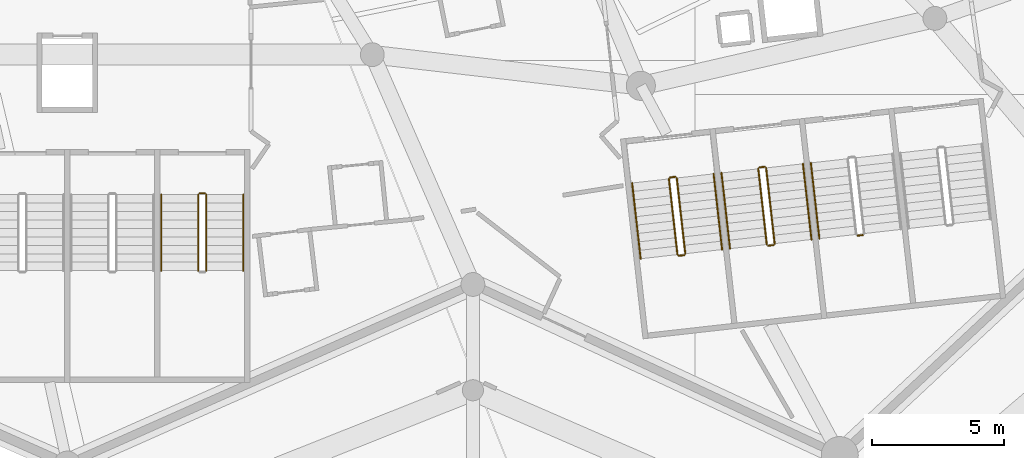
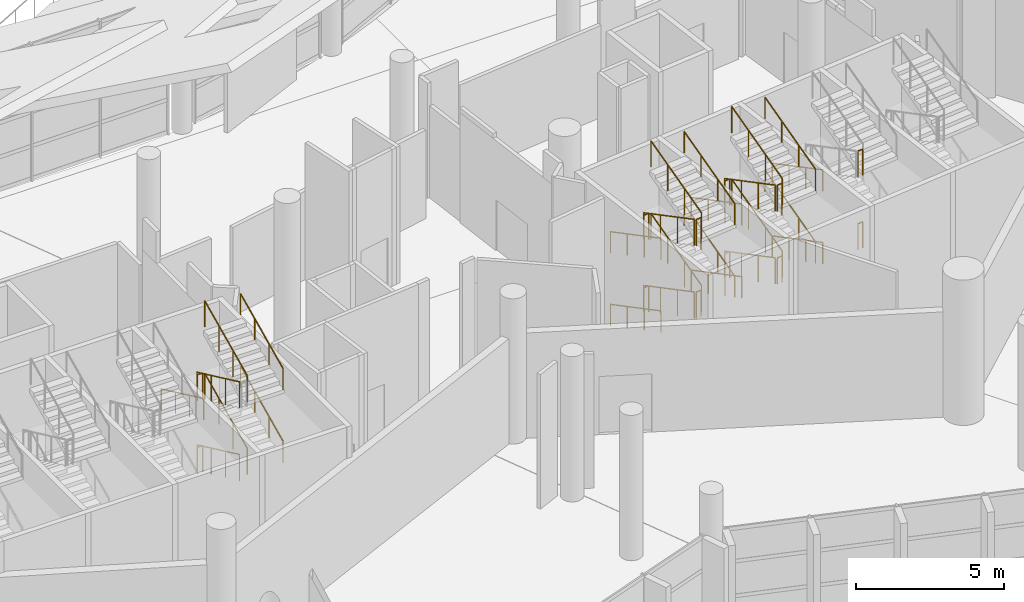
# One storey, part 216 of 249: 37 railings.
"""IFC4 building model written with IfcOpenShell, lengths in metres."""

from ifc_helpers import new_model, si_unit, direction, frame, origin, origin_2d, place, context, subcontext, project, spatial, circle, extrude, material, type_object, element, save


model = new_model("IFC4")

# Units and contexts
model_context = context("Model", 3, precision=1e-05, world=origin(), true_north=direction((0.0, 1.0)))
body_context = subcontext(model_context, "Body", "Model", "MODEL_VIEW")
ifc_project = project(units=[si_unit("LENGTHUNIT", "METRE"), si_unit("AREAUNIT", "SQUARE_METRE"), si_unit("VOLUMEUNIT", "CUBIC_METRE"), si_unit("PLANEANGLEUNIT", "RADIAN"), si_unit("MASSUNIT", "GRAM", prefix="KILO")], contexts=[model_context])

# Site, building, storey
site_placement = place(None, origin())
site = spatial("IfcSite", under=ifc_project, at=site_placement, CompositionType="ELEMENT")
building_placement = place(site_placement, origin())
building = spatial("IfcBuilding", under=site, at=building_placement, Name="Meseta Stadium", CompositionType="ELEMENT")
storey_placement = place(building_placement, frame((0.0, 0.0, 12.0)))
storey = spatial("IfcBuildingStorey", under=building, at=storey_placement, Name="L02", CompositionType="ELEMENT", Elevation=12.0)

# Railings
ifc_material_1 = material(Name="Steel S355", Category="steel")
railing_type_1 = type_object("IfcRailingType", Name="Stair guard 1100", PredefinedType="GUARDRAIL", material=ifc_material_1)
railing_1_placement = place(storey_placement, frame((27.949951171875, -95.199951171875, 0.14990234375)))
element("IfcRailing", 1, at=railing_1_placement, inside=storey, type_object=railing_type_1, Name="ST100 L02 guard 1", PredefinedType="GUARDRAIL", context=body_context, shape_type="SweptSolid", body=[
    extrude(circle(Radius=0.02392578125, at=origin_2d()), frame((0.0, 0.0, 1.076171875), z_axis=(0.0, -0.905454327043, 0.424443708447), x_axis=(1.0, 0.0, 0.0)), (0.0, 0.0, 1.0), 3.180908203125),
    extrude(circle(Radius=0.02099609375, at=origin_2d()), origin(), (0.0, 0.0, 1.0), 1.052001953125),
    extrude(circle(Radius=0.02099609375, at=origin_2d()), frame((0.0, -0.9599609375, 0.449951171875)), (0.0, 0.0, 1.0), 1.052001953125),
    extrude(circle(Radius=0.02099609375, at=origin_2d()), frame((0.0, -1.920166015625, 0.900146484375)), (0.0, 0.0, 1.0), 1.052001953125),
    extrude(circle(Radius=0.02099609375, at=origin_2d()), frame((0.0, -2.880126953125, 1.35009765625)), (0.0, 0.0, 1.0), 1.052001953125),
])
railing_2_placement = place(storey_placement, frame((28.25, -98.080078125, 1.64990234375)))
element("IfcRailing", 2, at=railing_2_placement, inside=storey, type_object=railing_type_1, Name="ST100 L02 guard 3", PredefinedType="GUARDRAIL", context=body_context, shape_type="SweptSolid", body=[
    extrude(circle(Radius=0.02392578125, at=origin_2d()), frame((0.0, 0.0, 1.076171875), z_axis=(0.0, 0.905454327043, 0.424443708447), x_axis=(-1.0, 0.0, 0.0)), (0.0, 0.0, 1.0), 3.180908203125),
    extrude(circle(Radius=0.02099609375, at=origin_2d()), origin(), (0.0, 0.0, 1.0), 1.052001953125),
    extrude(circle(Radius=0.02099609375, at=origin_2d()), frame((0.0, 0.9599609375, 0.449951171875)), (0.0, 0.0, 1.0), 1.052001953125),
    extrude(circle(Radius=0.02099609375, at=origin_2d()), frame((0.0, 1.920166015625, 0.900146484375)), (0.0, 0.0, 1.0), 1.052001953125),
    extrude(circle(Radius=0.02099609375, at=origin_2d()), frame((0.0, 2.880126953125, 1.35009765625)), (0.0, 0.0, 1.0), 1.052001953125),
])
railing_3_placement = place(storey_placement, frame((28.0, -95.14990234375, 3.0)))
element("IfcRailing", 3, at=railing_3_placement, inside=storey, type_object=railing_type_1, Name="ST100 L02 guard 4", PredefinedType="GUARDRAIL", context=body_context, shape_type="SweptSolid", body=[
    extrude(circle(Radius=0.02392578125, at=origin_2d()), frame((0.0, 0.0, 1.076171875), z_axis=(1.0, 0.0, 0.0), x_axis=(0.0, 1.0, 0.0)), (0.0, 0.0, 1.0), 0.199951171875),
    extrude(circle(Radius=0.02099609375, at=origin_2d()), origin(), (0.0, 0.0, 1.0), 1.052001953125),
    extrude(circle(Radius=0.02099609375, at=origin_2d()), frame((0.199951171875, 0.0, 0.0)), (0.0, 0.0, 1.0), 1.052001953125),
])
railing_4_placement = place(storey_placement, frame((27.949951171875, -95.199951171875, 3.14990234375)))
element("IfcRailing", 4, at=railing_4_placement, inside=storey, type_object=railing_type_1, Name="ST100 L02 guard 5", PredefinedType="GUARDRAIL", context=body_context, shape_type="SweptSolid", body=[
    extrude(circle(Radius=0.02392578125, at=origin_2d()), frame((0.0, 0.0, 1.076171875), z_axis=(0.0, -0.905454327043, 0.424443708447), x_axis=(1.0, 0.0, 0.0)), (0.0, 0.0, 1.0), 3.180908203125),
    extrude(circle(Radius=0.02099609375, at=origin_2d()), origin(), (0.0, 0.0, 1.0), 1.052001953125),
    extrude(circle(Radius=0.02099609375, at=origin_2d()), frame((0.0, -0.9599609375, 0.449951171875)), (0.0, 0.0, 1.0), 1.052001953125),
    extrude(circle(Radius=0.02099609375, at=origin_2d()), frame((0.0, -1.920166015625, 0.900146484375)), (0.0, 0.0, 1.0), 1.052001953125),
    extrude(circle(Radius=0.02099609375, at=origin_2d()), frame((0.0, -2.880126953125, 1.35009765625)), (0.0, 0.0, 1.0), 1.052001953125),
])
railing_5_placement = place(storey_placement, frame((28.25, -98.080078125, 4.64990234375)))
element("IfcRailing", 5, at=railing_5_placement, inside=storey, type_object=railing_type_1, Name="ST100 L02 guard 7", PredefinedType="GUARDRAIL", context=body_context, shape_type="SweptSolid", body=[
    extrude(circle(Radius=0.02392578125, at=origin_2d()), frame((0.0, 0.0, 1.076171875), z_axis=(0.0, 0.905454327043, 0.424443708447), x_axis=(-1.0, 0.0, 0.0)), (0.0, 0.0, 1.0), 3.180908203125),
    extrude(circle(Radius=0.02099609375, at=origin_2d()), origin(), (0.0, 0.0, 1.0), 1.052001953125),
    extrude(circle(Radius=0.02099609375, at=origin_2d()), frame((0.0, 0.9599609375, 0.449951171875)), (0.0, 0.0, 1.0), 1.052001953125),
    extrude(circle(Radius=0.02099609375, at=origin_2d()), frame((0.0, 1.920166015625, 0.900146484375)), (0.0, 0.0, 1.0), 1.052001953125),
    extrude(circle(Radius=0.02099609375, at=origin_2d()), frame((0.0, 2.880126953125, 1.35009765625)), (0.0, 0.0, 1.0), 1.052001953125),
])
railing_6_placement = place(storey_placement, frame((28.0, -95.14990234375, 0.0)))
element("IfcRailing", 6, at=railing_6_placement, inside=storey, type_object=railing_type_1, Name="ST100 L02 guard 8", PredefinedType="GUARDRAIL", context=body_context, shape_type="SweptSolid", body=[
    extrude(circle(Radius=0.02392578125, at=origin_2d()), frame((0.0, 0.0, 1.076171875), z_axis=(1.0, 0.0, 0.0), x_axis=(0.0, 1.0, 0.0)), (0.0, 0.0, 1.0), 0.199951171875),
    extrude(circle(Radius=0.02099609375, at=origin_2d()), origin(), (0.0, 0.0, 1.0), 1.052001953125),
    extrude(circle(Radius=0.02099609375, at=origin_2d()), frame((0.199951171875, 0.0, 0.0)), (0.0, 0.0, 1.0), 1.052001953125),
])
railing_7_placement = place(storey_placement, frame((45.742919921875, -94.609375, 0.14990234375)))
element("IfcRailing", 7, at=railing_7_placement, inside=storey, type_object=railing_type_1, Name="ST101 L02 guard 1", PredefinedType="GUARDRAIL", context=body_context, shape_type="SweptSolid", body=[
    extrude(circle(Radius=0.02392578125, at=origin_2d()), frame((0.0, 0.0, 1.076171875), z_axis=(0.10139626197, -0.899747905232, 0.424467319223), x_axis=(0.993709872468, 0.111985219376, 0.0)), (0.0, 0.0, 1.0), 3.1806640625),
    extrude(circle(Radius=0.02099609375, at=origin_2d()), origin(), (0.0, 0.0, 1.0), 1.052001953125),
    extrude(circle(Radius=0.02099609375, at=origin_2d()), frame((0.107421875, -0.953857421875, 0.449951171875)), (0.0, 0.0, 1.0), 1.052001953125),
    extrude(circle(Radius=0.02099609375, at=origin_2d()), frame((0.215087890625, -1.907958984375, 0.900146484375)), (0.0, 0.0, 1.0), 1.052001953125),
    extrude(circle(Radius=0.02099609375, at=origin_2d()), frame((0.322509765625, -2.86181640625, 1.35009765625)), (0.0, 0.0, 1.0), 1.052001953125),
])
railing_8_placement = place(storey_placement, frame((46.120849609375, -97.51513671875, 1.5)))
element("IfcRailing", 8, at=railing_8_placement, inside=storey, type_object=railing_type_1, Name="ST101 L02 guard 2", PredefinedType="GUARDRAIL", context=body_context, shape_type="SweptSolid", body=[
    extrude(circle(Radius=0.02392578125, at=origin_2d()), frame((0.0, 0.0, 1.076171875), z_axis=(0.993809063983, 0.111101504696, 0.0), x_axis=(-0.111101504696, 0.993809063983, 0.0)), (0.0, 0.0, 1.0), 0.199951171875),
    extrude(circle(Radius=0.02099609375, at=origin_2d()), origin(), (0.0, 0.0, 1.0), 1.052001953125),
    extrude(circle(Radius=0.02099609375, at=origin_2d()), frame((0.19873046875, 0.022216796875, 0.0)), (0.0, 0.0, 1.0), 1.052001953125),
])
railing_9_placement = place(storey_placement, frame((46.363525390625, -97.4375, 1.64990234375)))
element("IfcRailing", 9, at=railing_9_placement, inside=storey, type_object=railing_type_1, Name="ST101 L02 guard 3", PredefinedType="GUARDRAIL", context=body_context, shape_type="SweptSolid", body=[
    extrude(circle(Radius=0.02392578125, at=origin_2d()), frame((0.0, 0.0, 1.076171875), z_axis=(-0.101320293039, 0.899754905305, 0.424470621595), x_axis=(-0.993719302648, -0.111901508232, 0.0)), (0.0, 0.0, 1.0), 3.1806640625),
    extrude(circle(Radius=0.02099609375, at=origin_2d()), origin(), (0.0, 0.0, 1.0), 1.052001953125),
    extrude(circle(Radius=0.02099609375, at=origin_2d()), frame((-0.107421875, 0.953857421875, 0.449951171875)), (0.0, 0.0, 1.0), 1.052001953125),
    extrude(circle(Radius=0.02099609375, at=origin_2d()), frame((-0.21484375, 1.907958984375, 0.900146484375)), (0.0, 0.0, 1.0), 1.052001953125),
    extrude(circle(Radius=0.02099609375, at=origin_2d()), frame((-0.322265625, 2.86181640625, 1.35009765625)), (0.0, 0.0, 1.0), 1.052001953125),
])
railing_10_placement = place(storey_placement, frame((45.787109375, -94.553955078125, 3.0)))
element("IfcRailing", 10, at=railing_10_placement, inside=storey, type_object=railing_type_1, Name="ST101 L02 guard 4", PredefinedType="GUARDRAIL", context=body_context, shape_type="SweptSolid", body=[
    extrude(circle(Radius=0.02392578125, at=origin_2d()), frame((0.0, 0.0, 1.076171875), z_axis=(0.993673547442, 0.112307083986, 0.0), x_axis=(-0.112307083986, 0.993673547442, 0.0)), (0.0, 0.0, 1.0), 0.199951171875),
    extrude(circle(Radius=0.02099609375, at=origin_2d()), origin(), (0.0, 0.0, 1.0), 1.052001953125),
    extrude(circle(Radius=0.02099609375, at=origin_2d()), frame((0.19873046875, 0.0224609375, 0.0)), (0.0, 0.0, 1.0), 1.052001953125),
])
railing_11_placement = place(storey_placement, frame((45.742919921875, -94.609375, 3.14990234375)))
element("IfcRailing", 11, at=railing_11_placement, inside=storey, type_object=railing_type_1, Name="ST101 L02 guard 5", PredefinedType="GUARDRAIL", context=body_context, shape_type="SweptSolid", body=[
    extrude(circle(Radius=0.02392578125, at=origin_2d()), frame((0.0, 0.0, 1.076171875), z_axis=(0.10139626197, -0.899747905232, 0.424467319223), x_axis=(0.993709872468, 0.111985219376, 0.0)), (0.0, 0.0, 1.0), 3.1806640625),
    extrude(circle(Radius=0.02099609375, at=origin_2d()), origin(), (0.0, 0.0, 1.0), 1.052001953125),
    extrude(circle(Radius=0.02099609375, at=origin_2d()), frame((0.107421875, -0.953857421875, 0.449951171875)), (0.0, 0.0, 1.0), 1.052001953125),
    extrude(circle(Radius=0.02099609375, at=origin_2d()), frame((0.215087890625, -1.907958984375, 0.900146484375)), (0.0, 0.0, 1.0), 1.052001953125),
    extrude(circle(Radius=0.02099609375, at=origin_2d()), frame((0.322509765625, -2.86181640625, 1.35009765625)), (0.0, 0.0, 1.0), 1.052001953125),
])
railing_12_placement = place(storey_placement, frame((46.120849609375, -97.51513671875, 4.5)))
element("IfcRailing", 12, at=railing_12_placement, inside=storey, type_object=railing_type_1, Name="ST101 L02 guard 6", PredefinedType="GUARDRAIL", context=body_context, shape_type="SweptSolid", body=[
    extrude(circle(Radius=0.02392578125, at=origin_2d()), frame((0.0, 0.0, 1.076171875), z_axis=(0.993809063983, 0.111101504696, 0.0), x_axis=(-0.111101504696, 0.993809063983, 0.0)), (0.0, 0.0, 1.0), 0.199951171875),
    extrude(circle(Radius=0.02099609375, at=origin_2d()), origin(), (0.0, 0.0, 1.0), 1.052001953125),
    extrude(circle(Radius=0.02099609375, at=origin_2d()), frame((0.19873046875, 0.022216796875, 0.0)), (0.0, 0.0, 1.0), 1.052001953125),
])
railing_13_placement = place(storey_placement, frame((46.363525390625, -97.4375, 4.64990234375)))
element("IfcRailing", 13, at=railing_13_placement, inside=storey, type_object=railing_type_1, Name="ST101 L02 guard 7", PredefinedType="GUARDRAIL", context=body_context, shape_type="SweptSolid", body=[
    extrude(circle(Radius=0.02392578125, at=origin_2d()), frame((0.0, 0.0, 1.076171875), z_axis=(-0.101320293039, 0.899754905305, 0.424470621595), x_axis=(-0.993719302648, -0.111901508232, 0.0)), (0.0, 0.0, 1.0), 3.1806640625),
    extrude(circle(Radius=0.02099609375, at=origin_2d()), origin(), (0.0, 0.0, 1.0), 1.052001953125),
    extrude(circle(Radius=0.02099609375, at=origin_2d()), frame((-0.107421875, 0.953857421875, 0.449951171875)), (0.0, 0.0, 1.0), 1.052001953125),
    extrude(circle(Radius=0.02099609375, at=origin_2d()), frame((-0.21484375, 1.907958984375, 0.900146484375)), (0.0, 0.0, 1.0), 1.052001953125),
    extrude(circle(Radius=0.02099609375, at=origin_2d()), frame((-0.322265625, 2.86181640625, 1.35009765625)), (0.0, 0.0, 1.0), 1.052001953125),
])
railing_14_placement = place(storey_placement, frame((45.787109375, -94.553955078125, 0.0)))
element("IfcRailing", 14, at=railing_14_placement, inside=storey, type_object=railing_type_1, Name="ST101 L02 guard 8", PredefinedType="GUARDRAIL", context=body_context, shape_type="SweptSolid", body=[
    extrude(circle(Radius=0.02392578125, at=origin_2d()), frame((0.0, 0.0, 1.076171875), z_axis=(0.993673547442, 0.112307083986, 0.0), x_axis=(-0.112307083986, 0.993673547442, 0.0)), (0.0, 0.0, 1.0), 0.199951171875),
    extrude(circle(Radius=0.02099609375, at=origin_2d()), origin(), (0.0, 0.0, 1.0), 1.052001953125),
    extrude(circle(Radius=0.02099609375, at=origin_2d()), frame((0.19873046875, 0.0224609375, 0.0)), (0.0, 0.0, 1.0), 1.052001953125),
])
railing_15_placement = place(storey_placement, frame((49.12158203125, -94.228515625, 0.14990234375)))
element("IfcRailing", 15, at=railing_15_placement, inside=storey, type_object=railing_type_1, Name="ST102 L02 guard 1", PredefinedType="GUARDRAIL", context=body_context, shape_type="SweptSolid", body=[
    extrude(circle(Radius=0.02392578125, at=origin_2d()), frame((0.0, 0.0, 1.076171875), z_axis=(0.101389259755, -0.899762522411, 0.424438006392), x_axis=(0.993710935447, 0.11197578655, 0.0)), (0.0, 0.0, 1.0), 3.180908203125),
    extrude(circle(Radius=0.02099609375, at=origin_2d()), origin(), (0.0, 0.0, 1.0), 1.052001953125),
    extrude(circle(Radius=0.02099609375, at=origin_2d()), frame((0.107421875, -0.9541015625, 0.449951171875)), (0.0, 0.0, 1.0), 1.052001953125),
    extrude(circle(Radius=0.02099609375, at=origin_2d()), frame((0.215087890625, -1.907958984375, 0.900146484375)), (0.0, 0.0, 1.0), 1.052001953125),
    extrude(circle(Radius=0.02099609375, at=origin_2d()), frame((0.322509765625, -2.862060546875, 1.35009765625)), (0.0, 0.0, 1.0), 1.052001953125),
])
railing_16_placement = place(storey_placement, frame((49.49951171875, -97.134521484375, 1.5)))
element("IfcRailing", 16, at=railing_16_placement, inside=storey, type_object=railing_type_1, Name="ST102 L02 guard 2", PredefinedType="GUARDRAIL", context=body_context, shape_type="SweptSolid", body=[
    extrude(circle(Radius=0.02392578125, at=origin_2d()), frame((0.0, 0.0, 1.076171875), z_axis=(0.993673547442, 0.112307083986, 0.0), x_axis=(-0.112307083986, 0.993673547442, 0.0)), (0.0, 0.0, 1.0), 0.199951171875),
    extrude(circle(Radius=0.02099609375, at=origin_2d()), origin(), (0.0, 0.0, 1.0), 1.052001953125),
    extrude(circle(Radius=0.02099609375, at=origin_2d()), frame((0.19873046875, 0.0224609375, 0.0)), (0.0, 0.0, 1.0), 1.052001953125),
])
railing_17_placement = place(storey_placement, frame((49.7421875, -97.056884765625, 1.64990234375)))
element("IfcRailing", 17, at=railing_17_placement, inside=storey, type_object=railing_type_1, Name="ST102 L02 guard 3", PredefinedType="GUARDRAIL", context=body_context, shape_type="SweptSolid", body=[
    extrude(circle(Radius=0.02392578125, at=origin_2d()), frame((0.0, 0.0, 1.076171875), z_axis=(-0.10139626197, 0.899747905232, 0.424467319223), x_axis=(-0.993709872468, -0.111985219376, 0.0)), (0.0, 0.0, 1.0), 3.1806640625),
    extrude(circle(Radius=0.02099609375, at=origin_2d()), origin(), (0.0, 0.0, 1.0), 1.052001953125),
    extrude(circle(Radius=0.02099609375, at=origin_2d()), frame((-0.107421875, 0.953857421875, 0.449951171875)), (0.0, 0.0, 1.0), 1.052001953125),
    extrude(circle(Radius=0.02099609375, at=origin_2d()), frame((-0.215087890625, 1.907958984375, 0.900146484375)), (0.0, 0.0, 1.0), 1.052001953125),
    extrude(circle(Radius=0.02099609375, at=origin_2d()), frame((-0.322509765625, 2.86181640625, 1.35009765625)), (0.0, 0.0, 1.0), 1.052001953125),
])
railing_18_placement = place(storey_placement, frame((49.165771484375, -94.17333984375, 3.0)))
element("IfcRailing", 18, at=railing_18_placement, inside=storey, type_object=railing_type_1, Name="ST102 L02 guard 4", PredefinedType="GUARDRAIL", context=body_context, shape_type="SweptSolid", body=[
    extrude(circle(Radius=0.02392578125, at=origin_2d()), frame((0.0, 0.0, 1.076171875), z_axis=(0.993673547442, 0.112307083986, 0.0), x_axis=(-0.112307083986, 0.993673547442, 0.0)), (0.0, 0.0, 1.0), 0.199951171875),
    extrude(circle(Radius=0.02099609375, at=origin_2d()), origin(), (0.0, 0.0, 1.0), 1.052001953125),
    extrude(circle(Radius=0.02099609375, at=origin_2d()), frame((0.19873046875, 0.0224609375, 0.0)), (0.0, 0.0, 1.0), 1.052001953125),
])
railing_19_placement = place(storey_placement, frame((49.12158203125, -94.228515625, 3.14990234375)))
element("IfcRailing", 19, at=railing_19_placement, inside=storey, type_object=railing_type_1, Name="ST102 L02 guard 5", PredefinedType="GUARDRAIL", context=body_context, shape_type="SweptSolid", body=[
    extrude(circle(Radius=0.02392578125, at=origin_2d()), frame((0.0, 0.0, 1.076171875), z_axis=(0.101389259755, -0.899762522411, 0.424438006392), x_axis=(0.993710935447, 0.11197578655, 0.0)), (0.0, 0.0, 1.0), 3.180908203125),
    extrude(circle(Radius=0.02099609375, at=origin_2d()), origin(), (0.0, 0.0, 1.0), 1.052001953125),
    extrude(circle(Radius=0.02099609375, at=origin_2d()), frame((0.107421875, -0.9541015625, 0.449951171875)), (0.0, 0.0, 1.0), 1.052001953125),
    extrude(circle(Radius=0.02099609375, at=origin_2d()), frame((0.215087890625, -1.907958984375, 0.900146484375)), (0.0, 0.0, 1.0), 1.052001953125),
    extrude(circle(Radius=0.02099609375, at=origin_2d()), frame((0.322509765625, -2.862060546875, 1.35009765625)), (0.0, 0.0, 1.0), 1.052001953125),
])
railing_20_placement = place(storey_placement, frame((49.49951171875, -97.134521484375, 4.5)))
element("IfcRailing", 20, at=railing_20_placement, inside=storey, type_object=railing_type_1, Name="ST102 L02 guard 6", PredefinedType="GUARDRAIL", context=body_context, shape_type="SweptSolid", body=[
    extrude(circle(Radius=0.02392578125, at=origin_2d()), frame((0.0, 0.0, 1.076171875), z_axis=(0.993673547442, 0.112307083986, 0.0), x_axis=(-0.112307083986, 0.993673547442, 0.0)), (0.0, 0.0, 1.0), 0.199951171875),
    extrude(circle(Radius=0.02099609375, at=origin_2d()), origin(), (0.0, 0.0, 1.0), 1.052001953125),
    extrude(circle(Radius=0.02099609375, at=origin_2d()), frame((0.19873046875, 0.0224609375, 0.0)), (0.0, 0.0, 1.0), 1.052001953125),
])
railing_21_placement = place(storey_placement, frame((49.7421875, -97.056884765625, 4.64990234375)))
element("IfcRailing", 21, at=railing_21_placement, inside=storey, type_object=railing_type_1, Name="ST102 L02 guard 7", PredefinedType="GUARDRAIL", context=body_context, shape_type="SweptSolid", body=[
    extrude(circle(Radius=0.02392578125, at=origin_2d()), frame((0.0, 0.0, 1.076171875), z_axis=(-0.10139626197, 0.899747905232, 0.424467319223), x_axis=(-0.993709872468, -0.111985219376, 0.0)), (0.0, 0.0, 1.0), 3.1806640625),
    extrude(circle(Radius=0.02099609375, at=origin_2d()), origin(), (0.0, 0.0, 1.0), 1.052001953125),
    extrude(circle(Radius=0.02099609375, at=origin_2d()), frame((-0.107421875, 0.953857421875, 0.449951171875)), (0.0, 0.0, 1.0), 1.052001953125),
    extrude(circle(Radius=0.02099609375, at=origin_2d()), frame((-0.215087890625, 1.907958984375, 0.900146484375)), (0.0, 0.0, 1.0), 1.052001953125),
    extrude(circle(Radius=0.02099609375, at=origin_2d()), frame((-0.322509765625, 2.86181640625, 1.35009765625)), (0.0, 0.0, 1.0), 1.052001953125),
])
for number, where, name in (
    (22, (49.165771484375, -94.17333984375, 0.0), "ST102 L02 guard 8"),
    (23, (52.8779296875, -96.75390625, 1.5), "ST103 L02 guard 2"),
    (24, (52.8779296875, -96.75390625, 4.5), "ST103 L02 guard 6"),
):
    element("IfcRailing", number, at=place(storey_placement, frame(where)), inside=storey, type_object=railing_type_1, Name=name, PredefinedType="GUARDRAIL", context=body_context, shape_type="SweptSolid", body=[
        extrude(circle(Radius=0.02392578125, at=origin_2d()), frame((0.0, 0.0, 1.076171875), z_axis=(0.993673547442, 0.112307083986, 0.0), x_axis=(-0.112307083986, 0.993673547442, 0.0)), (0.0, 0.0, 1.0), 0.199951171875),
        extrude(circle(Radius=0.02099609375, at=origin_2d()), origin(), (0.0, 0.0, 1.0), 1.052001953125),
        extrude(circle(Radius=0.02099609375, at=origin_2d()), frame((0.19873046875, 0.0224609375, 0.0)), (0.0, 0.0, 1.0), 1.052001953125),
    ])
ifc_material_2 = material(Name="Steel S355", Category="steel")
railing_type_2 = type_object("IfcRailingType", Name="Stair handrail 900", PredefinedType="HANDRAIL", material=ifc_material_2)
railing_22_placement = place(storey_placement, frame((29.64990234375, -98.080078125, 1.64990234375)))
element("IfcRailing", 25, at=railing_22_placement, inside=storey, type_object=railing_type_2, Name="ST100 L02 handrail 2", PredefinedType="HANDRAIL", context=body_context, shape_type="SweptSolid", body=[
    extrude(circle(Radius=0.02392578125, at=origin_2d()), frame((0.0, 0.0, 0.8759765625), z_axis=(0.0, 0.905454327043, 0.424443708447), x_axis=(-1.0, 0.0, 0.0)), (0.0, 0.0, 1.0), 3.180908203125),
    extrude(circle(Radius=0.02099609375, at=origin_2d()), origin(), (0.0, 0.0, 1.0), 0.851806640625),
    extrude(circle(Radius=0.02099609375, at=origin_2d()), frame((0.0, 0.9599609375, 0.449951171875)), (0.0, 0.0, 1.0), 0.851806640625),
    extrude(circle(Radius=0.02099609375, at=origin_2d()), frame((0.0, 1.920166015625, 0.900146484375)), (0.0, 0.0, 1.0), 0.851806640625),
    extrude(circle(Radius=0.02099609375, at=origin_2d()), frame((0.0, 2.880126953125, 1.35009765625)), (0.0, 0.0, 1.0), 0.851806640625),
])
railing_23_placement = place(storey_placement, frame((26.550048828125, -95.199951171875, 3.14990234375)))
element("IfcRailing", 26, at=railing_23_placement, inside=storey, type_object=railing_type_2, Name="ST100 L02 handrail 3", PredefinedType="HANDRAIL", context=body_context, shape_type="SweptSolid", body=[
    extrude(circle(Radius=0.02392578125, at=origin_2d()), frame((0.0, 0.0, 0.8759765625), z_axis=(0.0, -0.905454327043, 0.424443708447), x_axis=(1.0, 0.0, 0.0)), (0.0, 0.0, 1.0), 3.180908203125),
    extrude(circle(Radius=0.02099609375, at=origin_2d()), origin(), (0.0, 0.0, 1.0), 0.851806640625),
    extrude(circle(Radius=0.02099609375, at=origin_2d()), frame((0.0, -0.9599609375, 0.449951171875)), (0.0, 0.0, 1.0), 0.851806640625),
    extrude(circle(Radius=0.02099609375, at=origin_2d()), frame((0.0, -1.920166015625, 0.900146484375)), (0.0, 0.0, 1.0), 0.851806640625),
    extrude(circle(Radius=0.02099609375, at=origin_2d()), frame((0.0, -2.880126953125, 1.35009765625)), (0.0, 0.0, 1.0), 0.851806640625),
])
railing_24_placement = place(storey_placement, frame((29.64990234375, -98.080078125, 4.64990234375)))
element("IfcRailing", 27, at=railing_24_placement, inside=storey, type_object=railing_type_2, Name="ST100 L02 handrail 4", PredefinedType="HANDRAIL", context=body_context, shape_type="SweptSolid", body=[
    extrude(circle(Radius=0.02392578125, at=origin_2d()), frame((0.0, 0.0, 0.8759765625), z_axis=(0.0, 0.905454327043, 0.424443708447), x_axis=(-1.0, 0.0, 0.0)), (0.0, 0.0, 1.0), 3.180908203125),
    extrude(circle(Radius=0.02099609375, at=origin_2d()), origin(), (0.0, 0.0, 1.0), 0.851806640625),
    extrude(circle(Radius=0.02099609375, at=origin_2d()), frame((0.0, 0.9599609375, 0.449951171875)), (0.0, 0.0, 1.0), 0.851806640625),
    extrude(circle(Radius=0.02099609375, at=origin_2d()), frame((0.0, 1.920166015625, 0.900146484375)), (0.0, 0.0, 1.0), 0.851806640625),
    extrude(circle(Radius=0.02099609375, at=origin_2d()), frame((0.0, 2.880126953125, 1.35009765625)), (0.0, 0.0, 1.0), 0.851806640625),
])
railing_25_placement = place(storey_placement, frame((44.351806640625, -94.76611328125, 0.14990234375)))
element("IfcRailing", 28, at=railing_25_placement, inside=storey, type_object=railing_type_2, Name="ST101 L02 handrail 1", PredefinedType="HANDRAIL", context=body_context, shape_type="SweptSolid", body=[
    extrude(circle(Radius=0.02392578125, at=origin_2d()), frame((0.0, 0.0, 0.8759765625), z_axis=(0.10139626197, -0.899747905232, 0.424467319223), x_axis=(0.993709872468, 0.111985219376, 0.0)), (0.0, 0.0, 1.0), 3.1806640625),
    extrude(circle(Radius=0.02099609375, at=origin_2d()), origin(), (0.0, 0.0, 1.0), 0.851806640625),
    extrude(circle(Radius=0.02099609375, at=origin_2d()), frame((0.107421875, -0.953857421875, 0.449951171875)), (0.0, 0.0, 1.0), 0.851806640625),
    extrude(circle(Radius=0.02099609375, at=origin_2d()), frame((0.215087890625, -1.907958984375, 0.900146484375)), (0.0, 0.0, 1.0), 0.851806640625),
    extrude(circle(Radius=0.02099609375, at=origin_2d()), frame((0.322509765625, -2.86181640625, 1.35009765625)), (0.0, 0.0, 1.0), 0.851806640625),
])
railing_26_placement = place(storey_placement, frame((47.7548828125, -97.28076171875, 1.64990234375)))
element("IfcRailing", 29, at=railing_26_placement, inside=storey, type_object=railing_type_2, Name="ST101 L02 handrail 2", PredefinedType="HANDRAIL", context=body_context, shape_type="SweptSolid", body=[
    extrude(circle(Radius=0.02392578125, at=origin_2d()), frame((0.0, 0.0, 0.8759765625), z_axis=(-0.10139626197, 0.899747905232, 0.424467319223), x_axis=(-0.993709872468, -0.111985219376, 0.0)), (0.0, 0.0, 1.0), 3.1806640625),
    extrude(circle(Radius=0.02099609375, at=origin_2d()), origin(), (0.0, 0.0, 1.0), 0.851806640625),
    extrude(circle(Radius=0.02099609375, at=origin_2d()), frame((-0.107421875, 0.953857421875, 0.449951171875)), (0.0, 0.0, 1.0), 0.851806640625),
    extrude(circle(Radius=0.02099609375, at=origin_2d()), frame((-0.215087890625, 1.907958984375, 0.900146484375)), (0.0, 0.0, 1.0), 0.851806640625),
    extrude(circle(Radius=0.02099609375, at=origin_2d()), frame((-0.322509765625, 2.86181640625, 1.35009765625)), (0.0, 0.0, 1.0), 0.851806640625),
])
railing_27_placement = place(storey_placement, frame((44.351806640625, -94.76611328125, 3.14990234375)))
element("IfcRailing", 30, at=railing_27_placement, inside=storey, type_object=railing_type_2, Name="ST101 L02 handrail 3", PredefinedType="HANDRAIL", context=body_context, shape_type="SweptSolid", body=[
    extrude(circle(Radius=0.02392578125, at=origin_2d()), frame((0.0, 0.0, 0.8759765625), z_axis=(0.10139626197, -0.899747905232, 0.424467319223), x_axis=(0.993709872468, 0.111985219376, 0.0)), (0.0, 0.0, 1.0), 3.1806640625),
    extrude(circle(Radius=0.02099609375, at=origin_2d()), origin(), (0.0, 0.0, 1.0), 0.851806640625),
    extrude(circle(Radius=0.02099609375, at=origin_2d()), frame((0.107421875, -0.953857421875, 0.449951171875)), (0.0, 0.0, 1.0), 0.851806640625),
    extrude(circle(Radius=0.02099609375, at=origin_2d()), frame((0.215087890625, -1.907958984375, 0.900146484375)), (0.0, 0.0, 1.0), 0.851806640625),
    extrude(circle(Radius=0.02099609375, at=origin_2d()), frame((0.322509765625, -2.86181640625, 1.35009765625)), (0.0, 0.0, 1.0), 0.851806640625),
])
railing_28_placement = place(storey_placement, frame((47.7548828125, -97.28076171875, 4.64990234375)))
element("IfcRailing", 31, at=railing_28_placement, inside=storey, type_object=railing_type_2, Name="ST101 L02 handrail 4", PredefinedType="HANDRAIL", context=body_context, shape_type="SweptSolid", body=[
    extrude(circle(Radius=0.02392578125, at=origin_2d()), frame((0.0, 0.0, 0.8759765625), z_axis=(-0.10139626197, 0.899747905232, 0.424467319223), x_axis=(-0.993709872468, -0.111985219376, 0.0)), (0.0, 0.0, 1.0), 3.1806640625),
    extrude(circle(Radius=0.02099609375, at=origin_2d()), origin(), (0.0, 0.0, 1.0), 0.851806640625),
    extrude(circle(Radius=0.02099609375, at=origin_2d()), frame((-0.107421875, 0.953857421875, 0.449951171875)), (0.0, 0.0, 1.0), 0.851806640625),
    extrude(circle(Radius=0.02099609375, at=origin_2d()), frame((-0.215087890625, 1.907958984375, 0.900146484375)), (0.0, 0.0, 1.0), 0.851806640625),
    extrude(circle(Radius=0.02099609375, at=origin_2d()), frame((-0.322509765625, 2.86181640625, 1.35009765625)), (0.0, 0.0, 1.0), 0.851806640625),
])
railing_29_placement = place(storey_placement, frame((47.73046875, -94.38525390625, 0.14990234375)))
element("IfcRailing", 32, at=railing_29_placement, inside=storey, type_object=railing_type_2, Name="ST102 L02 handrail 1", PredefinedType="HANDRAIL", context=body_context, shape_type="SweptSolid", body=[
    extrude(circle(Radius=0.02392578125, at=origin_2d()), frame((0.0, 0.0, 0.8759765625), z_axis=(0.101389259755, -0.899762522411, 0.424438006392), x_axis=(0.993710935447, 0.11197578655, 0.0)), (0.0, 0.0, 1.0), 3.180908203125),
    extrude(circle(Radius=0.02099609375, at=origin_2d()), origin(), (0.0, 0.0, 1.0), 0.851806640625),
    extrude(circle(Radius=0.02099609375, at=origin_2d()), frame((0.107421875, -0.9541015625, 0.449951171875)), (0.0, 0.0, 1.0), 0.851806640625),
    extrude(circle(Radius=0.02099609375, at=origin_2d()), frame((0.215087890625, -1.907958984375, 0.900146484375)), (0.0, 0.0, 1.0), 0.851806640625),
    extrude(circle(Radius=0.02099609375, at=origin_2d()), frame((0.322509765625, -2.862060546875, 1.35009765625)), (0.0, 0.0, 1.0), 0.851806640625),
])
railing_30_placement = place(storey_placement, frame((51.133544921875, -96.900146484375, 1.64990234375)))
element("IfcRailing", 33, at=railing_30_placement, inside=storey, type_object=railing_type_2, Name="ST102 L02 handrail 2", PredefinedType="HANDRAIL", context=body_context, shape_type="SweptSolid", body=[
    extrude(circle(Radius=0.02392578125, at=origin_2d()), frame((0.0, 0.0, 0.8759765625), z_axis=(-0.10139626197, 0.899747905232, 0.424467319223), x_axis=(-0.993709872468, -0.111985219376, 0.0)), (0.0, 0.0, 1.0), 3.1806640625),
    extrude(circle(Radius=0.02099609375, at=origin_2d()), origin(), (0.0, 0.0, 1.0), 0.851806640625),
    extrude(circle(Radius=0.02099609375, at=origin_2d()), frame((-0.107421875, 0.953857421875, 0.449951171875)), (0.0, 0.0, 1.0), 0.851806640625),
    extrude(circle(Radius=0.02099609375, at=origin_2d()), frame((-0.215087890625, 1.907958984375, 0.900146484375)), (0.0, 0.0, 1.0), 0.851806640625),
    extrude(circle(Radius=0.02099609375, at=origin_2d()), frame((-0.322509765625, 2.86181640625, 1.35009765625)), (0.0, 0.0, 1.0), 0.851806640625),
])
railing_31_placement = place(storey_placement, frame((47.73046875, -94.38525390625, 3.14990234375)))
element("IfcRailing", 34, at=railing_31_placement, inside=storey, type_object=railing_type_2, Name="ST102 L02 handrail 3", PredefinedType="HANDRAIL", context=body_context, shape_type="SweptSolid", body=[
    extrude(circle(Radius=0.02392578125, at=origin_2d()), frame((0.0, 0.0, 0.8759765625), z_axis=(0.101389259755, -0.899762522411, 0.424438006392), x_axis=(0.993710935447, 0.11197578655, 0.0)), (0.0, 0.0, 1.0), 3.180908203125),
    extrude(circle(Radius=0.02099609375, at=origin_2d()), origin(), (0.0, 0.0, 1.0), 0.851806640625),
    extrude(circle(Radius=0.02099609375, at=origin_2d()), frame((0.107421875, -0.9541015625, 0.449951171875)), (0.0, 0.0, 1.0), 0.851806640625),
    extrude(circle(Radius=0.02099609375, at=origin_2d()), frame((0.215087890625, -1.907958984375, 0.900146484375)), (0.0, 0.0, 1.0), 0.851806640625),
    extrude(circle(Radius=0.02099609375, at=origin_2d()), frame((0.322509765625, -2.862060546875, 1.35009765625)), (0.0, 0.0, 1.0), 0.851806640625),
])
railing_32_placement = place(storey_placement, frame((51.133544921875, -96.900146484375, 4.64990234375)))
element("IfcRailing", 35, at=railing_32_placement, inside=storey, type_object=railing_type_2, Name="ST102 L02 handrail 4", PredefinedType="HANDRAIL", context=body_context, shape_type="SweptSolid", body=[
    extrude(circle(Radius=0.02392578125, at=origin_2d()), frame((0.0, 0.0, 0.8759765625), z_axis=(-0.10139626197, 0.899747905232, 0.424467319223), x_axis=(-0.993709872468, -0.111985219376, 0.0)), (0.0, 0.0, 1.0), 3.1806640625),
    extrude(circle(Radius=0.02099609375, at=origin_2d()), origin(), (0.0, 0.0, 1.0), 0.851806640625),
    extrude(circle(Radius=0.02099609375, at=origin_2d()), frame((-0.107421875, 0.953857421875, 0.449951171875)), (0.0, 0.0, 1.0), 0.851806640625),
    extrude(circle(Radius=0.02099609375, at=origin_2d()), frame((-0.215087890625, 1.907958984375, 0.900146484375)), (0.0, 0.0, 1.0), 0.851806640625),
    extrude(circle(Radius=0.02099609375, at=origin_2d()), frame((-0.322509765625, 2.86181640625, 1.35009765625)), (0.0, 0.0, 1.0), 0.851806640625),
])
for number, where, name in (
    (36, (51.109130859375, -94.004638671875, 0.14990234375), "ST103 L02 handrail 1"),
    (37, (51.109130859375, -94.004638671875, 3.14990234375), "ST103 L02 handrail 3"),
):
    element("IfcRailing", number, at=place(storey_placement, frame(where)), inside=storey, type_object=railing_type_2, Name=name, PredefinedType="HANDRAIL", context=body_context, shape_type="SweptSolid", body=[
        extrude(circle(Radius=0.02392578125, at=origin_2d()), frame((0.0, 0.0, 0.8759765625), z_axis=(0.10139626197, -0.899747905232, 0.424467319223), x_axis=(0.993709872468, 0.111985219376, 0.0)), (0.0, 0.0, 1.0), 3.1806640625),
        extrude(circle(Radius=0.02099609375, at=origin_2d()), origin(), (0.0, 0.0, 1.0), 0.851806640625),
        extrude(circle(Radius=0.02099609375, at=origin_2d()), frame((0.107421875, -0.953857421875, 0.449951171875)), (0.0, 0.0, 1.0), 0.851806640625),
        extrude(circle(Radius=0.02099609375, at=origin_2d()), frame((0.215087890625, -1.907958984375, 0.900146484375)), (0.0, 0.0, 1.0), 0.851806640625),
        extrude(circle(Radius=0.02099609375, at=origin_2d()), frame((0.322509765625, -2.86181640625, 1.35009765625)), (0.0, 0.0, 1.0), 0.851806640625),
    ])

save(model, "model.ifc")
